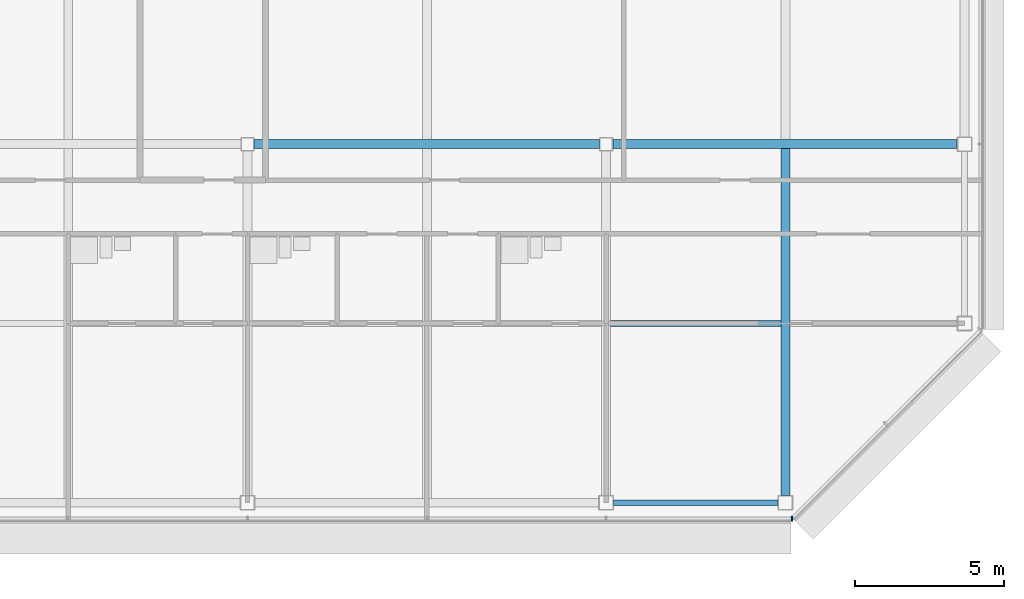
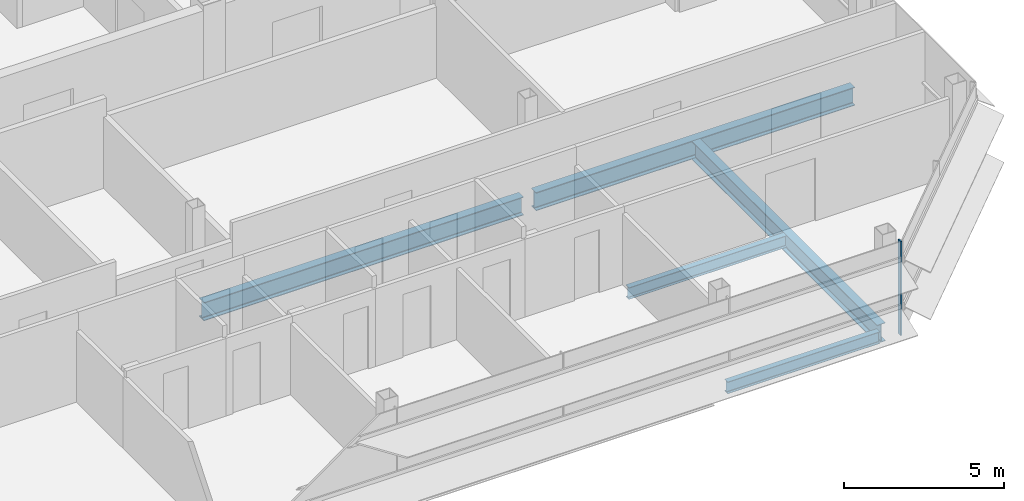
# One storey, part 11 of 28: 5 beams, 1 member, 1 element without a shape of its own.
"""IFC4 building model written with IfcOpenShell, lengths in metres."""

from ifc_helpers import new_model, si_unit, direction, frame, origin, origin_2d, place, context, subcontext, project, spatial, rectangle, i_section, extrude, material, material_profile, profile_set, type_object, element, aggregate, save


model = new_model("IFC4")

# Units and contexts
model_context = context("Model", 3, precision=1e-05, world=origin(), true_north=direction((0.0, 1.0)))
body_context = subcontext(model_context, "Body", "Model", "MODEL_VIEW")
ifc_project = project(units=[si_unit("LENGTHUNIT", "METRE"), si_unit("AREAUNIT", "SQUARE_METRE"), si_unit("VOLUMEUNIT", "CUBIC_METRE"), si_unit("PLANEANGLEUNIT", "RADIAN"), si_unit("MASSUNIT", "GRAM", prefix="KILO")], contexts=[model_context])

# Site, building, storey
site_placement = place(None, origin())
site = spatial("IfcSite", under=ifc_project, at=site_placement, CompositionType="ELEMENT")
building_placement = place(site_placement, origin())
building = spatial("IfcBuilding", under=site, at=building_placement, Name="Sorahane Residences", CompositionType="ELEMENT")
storey_placement = place(building_placement, frame((0.0, 0.0, 308.800048828125)))
storey = spatial("IfcBuildingStorey", under=building, at=storey_placement, Name="L73", CompositionType="ELEMENT", Elevation=308.800048828125)

# Curtain wall, member
ifc_material_1 = material(Name="Dark low-e glass and black anodised aluminium", Category="aluminium")
curtain_wall_type = type_object("IfcCurtainWallType", Name="Curtain wall CW-1 Typical unitised wall", PredefinedType="NOTDEFINED", material=ifc_material_1)
curtain_wall_placement = place(storey_placement, origin())
curtain_wall = element("IfcCurtainWall", 1, at=curtain_wall_placement, inside=storey, type_object=curtain_wall_type, Name="CW-1 curtain wall L73 S1", PredefinedType="NOTDEFINED")
ifc_material_2 = material(Name="Black anodised aluminium", Category="aluminium")
ifc_material_profile_1 = material_profile(ifc_material_2, rectangle(XDim=0.159912109375, YDim=0.050048828125, at=origin_2d()), Name="Curtain wall mullion CW-1 black anodised aluminium 50x160")
ifc_profile_set_1 = profile_set([ifc_material_profile_1], Name="Black anodised aluminium")
member_type = type_object("IfcMemberType", Name="Curtain wall mullion CW-1 black anodised aluminium 50x160", PredefinedType="MULLION", material=ifc_profile_set_1)
member_placement = place(storey_placement, frame((42.2236328125, -0.5400390625, -0.179931640625), z_axis=(0.0, 0.0, 1.0), x_axis=(0.0, -1.0, 0.0)))
member = element("IfcMember", 2, at=member_placement, type_object=member_type, Name="CW-1 mullion L73 S1.10", PredefinedType="MULLION", context=body_context, shape_type="SweptSolid", body=[
    extrude(rectangle(XDim=0.159912109375, YDim=0.050048828125, at=origin_2d()), origin(), (0.0, 0.0, 1.0), 3.599853515625),
])
aggregate(curtain_wall, [member])

# Beams
ifc_material_3 = material(Name="Steel Q355B", Category="steel")
ifc_material_profile_2 = material_profile(ifc_material_3, i_section(OverallWidth=0.199951171875, OverallDepth=0.449951171875, WebThickness=0.009033203125, FlangeThickness=0.013916015625, FilletRadius=0.02001953125, at=origin_2d()), Name="HN 450x200x9x14")
ifc_profile_set_2 = profile_set([ifc_material_profile_2], Name="Steel Q355B")
beam_type_1 = type_object("IfcBeamType", Name="Steel floor beam HN 450x200x9x14 Q355B", PredefinedType="BEAM", material=ifc_profile_set_2)
beam_1_placement = place(storey_placement, frame((36.25, 0.0, -0.405029296875), z_axis=(1.0, 0.0, 0.0), x_axis=(0.0, 1.0, 0.0)))
element("IfcBeam", 3, at=beam_1_placement, inside=storey, type_object=beam_type_1, Name="Beam L73 004", PredefinedType="BEAM", context=body_context, shape_type="SweptSolid", body=[
    extrude(i_section(OverallWidth=0.199951171875, OverallDepth=0.449951171875, WebThickness=0.009033203125, FlangeThickness=0.013916015625, FilletRadius=0.02001953125, at=origin_2d()), origin(), (0.0, 0.0, 1.0), 5.5),
])
beam_2_placement = place(storey_placement, frame((36.14990234375, 6.0, -0.405029296875), z_axis=(1.0, 0.0, 0.0), x_axis=(0.0, 1.0, 0.0)))
element("IfcBeam", 4, at=beam_2_placement, inside=storey, type_object=beam_type_1, Name="Beam L73 074", PredefinedType="BEAM", context=body_context, shape_type="SweptSolid", body=[
    extrude(i_section(OverallWidth=0.199951171875, OverallDepth=0.449951171875, WebThickness=0.009033203125, FlangeThickness=0.013916015625, FilletRadius=0.02001953125, at=origin_2d()), origin(), (0.0, 0.0, 1.0), 5.7001953125),
])
ifc_material_4 = material(Name="Steel Q355B", Category="steel")
ifc_material_profile_3 = material_profile(ifc_material_4, i_section(OverallWidth=0.300048828125, OverallDepth=0.699951171875, WebThickness=0.012939453125, FlangeThickness=0.02392578125, FilletRadius=0.028076171875, at=origin_2d()), Name="HN 700x300x13x24")
ifc_profile_set_3 = profile_set([ifc_material_profile_3], Name="Steel Q355B")
beam_type_2 = type_object("IfcBeamType", Name="Steel floor beam HN 700x300x13x24 Q355B", PredefinedType="BEAM", material=ifc_profile_set_3)
beam_3_placement = place(storey_placement, frame((24.22509765625, 12.0, -0.530029296875), z_axis=(1.0, 0.0, 0.0), x_axis=(0.0, 1.0, 0.0)))
element("IfcBeam", 5, at=beam_3_placement, inside=storey, type_object=beam_type_2, Name="Beam L73 009", PredefinedType="BEAM", context=body_context, shape_type="SweptSolid", body=[
    extrude(i_section(OverallWidth=0.300048828125, OverallDepth=0.699951171875, WebThickness=0.012939453125, FlangeThickness=0.02392578125, FilletRadius=0.028076171875, at=origin_2d()), origin(), (0.0, 0.0, 1.0), 11.5498046875),
])
beam_4_placement = place(storey_placement, frame((36.22509765625, 12.0, -0.530029296875), z_axis=(1.0, 0.0, 0.0), x_axis=(0.0, 1.0, 0.0)))
element("IfcBeam", 6, at=beam_4_placement, inside=storey, type_object=beam_type_2, Name="Beam L73 010", PredefinedType="BEAM", context=body_context, shape_type="SweptSolid", body=[
    extrude(i_section(OverallWidth=0.300048828125, OverallDepth=0.699951171875, WebThickness=0.012939453125, FlangeThickness=0.02392578125, FilletRadius=0.028076171875, at=origin_2d()), origin(), (0.0, 0.0, 1.0), 11.52490234375),
])
beam_5_placement = place(storey_placement, frame((42.0, 0.25, -0.530029296875), z_axis=(0.0, 1.0, 0.0), x_axis=(-1.0, 0.0, 0.0)))
element("IfcBeam", 7, at=beam_5_placement, inside=storey, type_object=beam_type_2, Name="Beam L73 056", PredefinedType="BEAM", context=body_context, shape_type="SweptSolid", body=[
    extrude(i_section(OverallWidth=0.300048828125, OverallDepth=0.699951171875, WebThickness=0.012939453125, FlangeThickness=0.02392578125, FilletRadius=0.028076171875, at=origin_2d()), origin(), (0.0, 0.0, 1.0), 11.60009765625),
])

save(model, "model.ifc")
